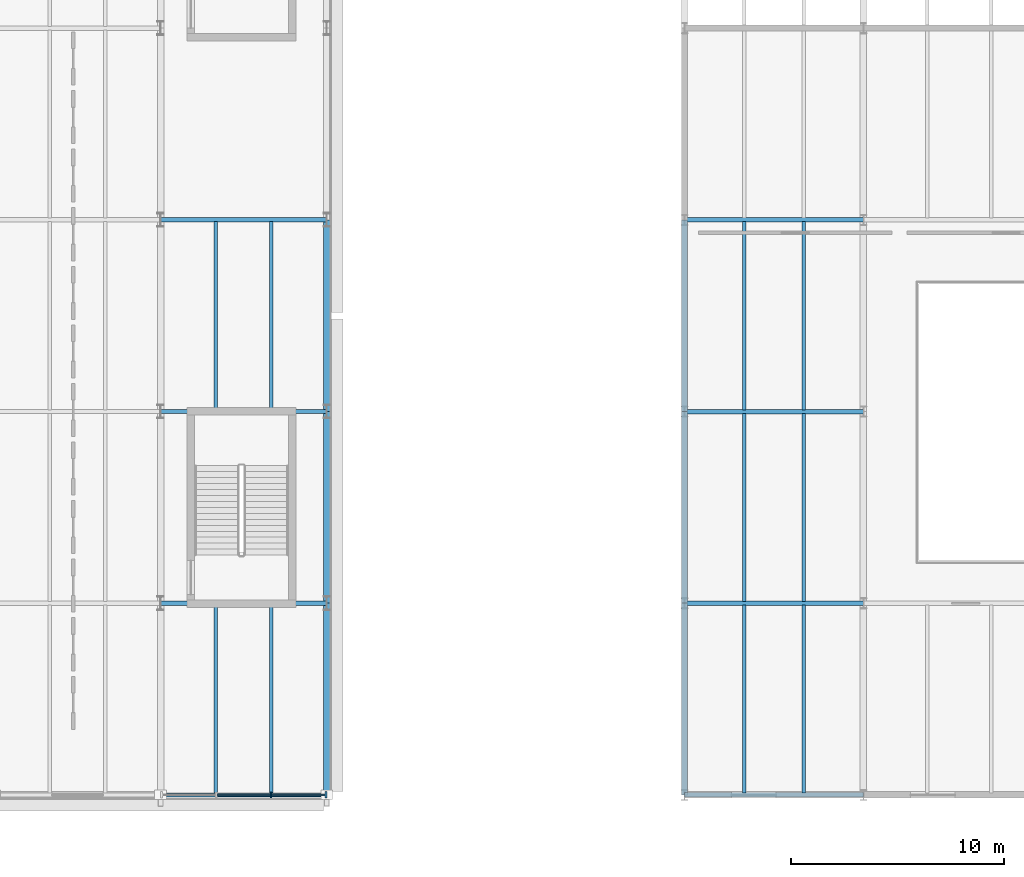
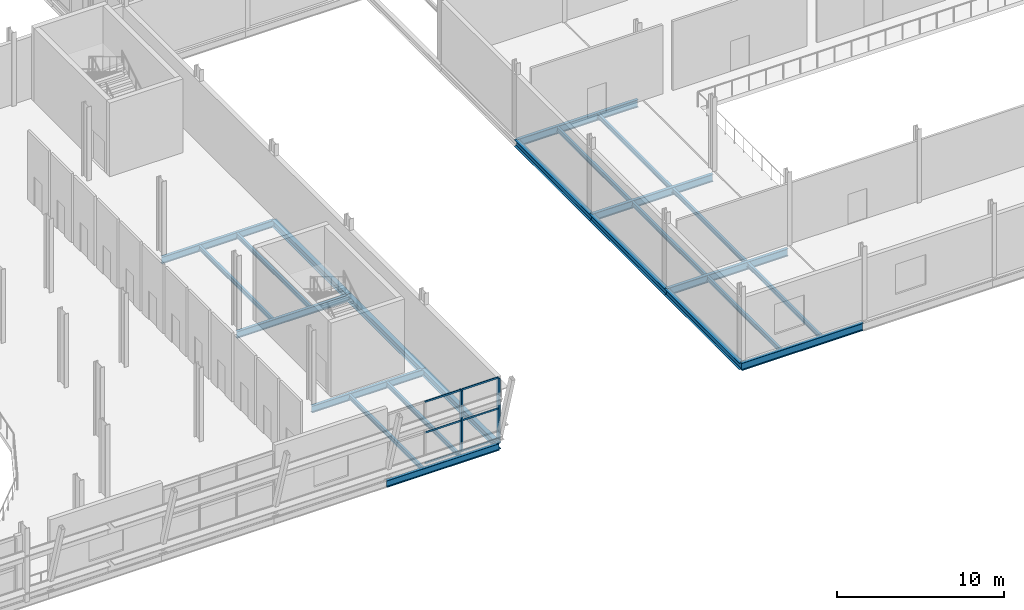
# One storey, part 21 of 78: 24 beams, 8 members, 1 element without a shape of its own.
"""IFC4 building model written with IfcOpenShell, lengths in metres."""

from ifc_helpers import new_model, si_unit, direction, frame, origin, origin_2d, place, context, subcontext, project, spatial, rectangle, i_section, extrude, material, layer, layer_set, material_profile, profile_set, type_object, element, aggregate, save


model = new_model("IFC4")

# Units and contexts
model_context = context("Model", 3, precision=1e-05, world=origin(), true_north=direction((0.0, 1.0)))
body_context = subcontext(model_context, "Body", "Model", "MODEL_VIEW")
ifc_project = project(units=[si_unit("LENGTHUNIT", "METRE"), si_unit("AREAUNIT", "SQUARE_METRE"), si_unit("VOLUMEUNIT", "CUBIC_METRE"), si_unit("PLANEANGLEUNIT", "RADIAN"), si_unit("MASSUNIT", "GRAM", prefix="KILO")], contexts=[model_context])

# Site, building, storey
site_placement = place(None, origin())
site = spatial("IfcSite", under=ifc_project, at=site_placement, CompositionType="ELEMENT")
building_placement = place(site_placement, origin())
building = spatial("IfcBuilding", under=site, at=building_placement, Name="Sefraquen Railside Congress Hotel", CompositionType="ELEMENT")
storey_placement = place(building_placement, frame((0.0, 0.0, 6.0)))
storey = spatial("IfcBuildingStorey", under=building, at=storey_placement, Name="L01", CompositionType="ELEMENT", Elevation=6.0)

# Beams
ifc_material_1 = material(Name="Steel S355JR", Category="steel")
ifc_material_profile_1 = material_profile(ifc_material_1, i_section(OverallWidth=0.199951171875, OverallDepth=0.5, WebThickness=0.01025390625, FlangeThickness=0.01611328125, FilletRadius=0.02099609375, at=origin_2d()), Name="IPE 500")
ifc_profile_set_1 = profile_set([ifc_material_profile_1], Name="Steel S355JR")
beam_type_1 = type_object("IfcBeamType", Name="TB-BM-500", PredefinedType="BEAM", material=ifc_profile_set_1)
for number, where, z_axis, x_axis, name in (
    (1, (95.39990234375, 9.0, -0.550048828125), (1.0, 0.0, 0.0), (0.0, 1.0, 0.0), "Primary girder BM-L01-0348"),
    (2, (95.39990234375, 18.0, -0.550048828125), (1.0, 0.0, 0.0), (0.0, 1.0, 0.0), "Primary girder BM-L01-0358"),
    (3, (95.39990234375, 27.0, -0.550048828125), (1.0, 0.0, 0.0), (0.0, 1.0, 0.0), "Primary girder BM-L01-0370"),
    (4, (95.39990234375, 36.0, -0.550048828125), (1.0, 0.0, 0.0), (0.0, 1.0, 0.0), "Primary girder BM-L01-0375"),
):
    element("IfcBeam", number, at=place(storey_placement, frame(where, z_axis=z_axis, x_axis=x_axis)), inside=storey, type_object=beam_type_1, Name=name, PredefinedType="BEAM", context=body_context, shape_type="SweptSolid", body=[
        extrude(i_section(OverallWidth=0.199951171875, OverallDepth=0.5, WebThickness=0.01025390625, FlangeThickness=0.01611328125, FilletRadius=0.02099609375, at=origin_2d()), origin(), (0.0, 0.0, 1.0), 7.800048828125),
    ])
ifc_material_profile_2 = material_profile(ifc_material_1, i_section(OverallWidth=0.300048828125, OverallDepth=0.489990234375, WebThickness=0.011962890625, FlangeThickness=0.02294921875, FilletRadius=0.027099609375, at=origin_2d()), Name="HEA 500")
ifc_profile_set_2 = profile_set([ifc_material_profile_2], Name="Steel S355JR")
beam_type_2 = type_object("IfcBeamType", Name="TB-GIR-500", PredefinedType="T_BEAM", material=ifc_profile_set_2)
for number, where, z_axis, x_axis, name in (
    (5, (103.199951171875, 9.0, -0.544921875), (0.0, 1.0, 0.0), (-1.0, 0.0, 0.0), "Floor beam BM-L01-0604"),
    (6, (103.199951171875, 18.0, -0.544921875), (0.0, 1.0, 0.0), (-1.0, 0.0, 0.0), "Floor beam BM-L01-0605"),
    (7, (103.199951171875, 27.0, -0.544921875), (0.0, 1.0, 0.0), (-1.0, 0.0, 0.0), "Floor beam BM-L01-0606"),
    (8, (120.0, 9.0, -0.544921875), (0.0, 1.0, 0.0), (-1.0, 0.0, 0.0), "Floor beam BM-L01-0625"),
    (9, (120.0, 18.0, -0.544921875), (0.0, 1.0, 0.0), (-1.0, 0.0, 0.0), "Floor beam BM-L01-0626"),
    (10, (120.0, 27.0, -0.544921875), (0.0, 1.0, 0.0), (-1.0, 0.0, 0.0), "Floor beam BM-L01-0627"),
):
    element("IfcBeam", number, at=place(storey_placement, frame(where, z_axis=z_axis, x_axis=x_axis)), inside=storey, type_object=beam_type_2, Name=name, PredefinedType="T_BEAM", context=body_context, shape_type="SweptSolid", body=[
        extrude(i_section(OverallWidth=0.300048828125, OverallDepth=0.489990234375, WebThickness=0.011962890625, FlangeThickness=0.02294921875, FilletRadius=0.027099609375, at=origin_2d()), origin(), (0.0, 0.0, 1.0), 9.0),
    ])
ifc_material_profile_3 = material_profile(ifc_material_1, i_section(OverallWidth=0.2099609375, OverallDepth=0.550048828125, WebThickness=0.010986328125, FlangeThickness=0.01708984375, FilletRadius=0.02392578125, at=origin_2d()), Name="IPE 550")
ifc_profile_set_3 = profile_set([ifc_material_profile_3], Name="Steel S355JR")
beam_type_3 = type_object("IfcBeamType", Name="TB-GIR-550", PredefinedType="T_BEAM", material=ifc_profile_set_3)
for number, where, z_axis, x_axis, name in (
    (11, (120.0, 9.0, -0.574951171875), (1.0, 0.0, 0.0), (0.0, 1.0, 0.0), "Primary girder BM-L01-0349"),
    (12, (120.0, 18.0, -0.574951171875), (1.0, 0.0, 0.0), (0.0, 1.0, 0.0), "Primary girder BM-L01-0359"),
    (13, (120.0, 27.0, -0.574951171875), (1.0, 0.0, 0.0), (0.0, 1.0, 0.0), "Primary girder BM-L01-0371"),
    (14, (120.0, 36.0, -0.574951171875), (1.0, 0.0, 0.0), (0.0, 1.0, 0.0), "Primary girder BM-L01-0376"),
):
    element("IfcBeam", number, at=place(storey_placement, frame(where, z_axis=z_axis, x_axis=x_axis)), inside=storey, type_object=beam_type_3, Name=name, PredefinedType="T_BEAM", context=body_context, shape_type="SweptSolid", body=[
        extrude(i_section(OverallWidth=0.2099609375, OverallDepth=0.550048828125, WebThickness=0.010986328125, FlangeThickness=0.01708984375, FilletRadius=0.02392578125, at=origin_2d()), origin(), (0.0, 0.0, 1.0), 8.39990234375),
    ])
ifc_material_profile_4 = material_profile(ifc_material_1, i_section(OverallWidth=0.159912109375, OverallDepth=0.330078125, WebThickness=0.007568359375, FlangeThickness=0.011474609375, FilletRadius=0.01806640625, at=origin_2d()), Name="IPE 330")
ifc_profile_set_4 = profile_set([ifc_material_profile_4], Name="Steel S355JR")
beam_type_4 = type_object("IfcBeamType", Name="TB-JST-330", PredefinedType="JOIST", material=ifc_profile_set_4)
for number, where, z_axis, x_axis, name in (
    (15, (98.0, 9.080078125, -0.465087890625), (0.0, 1.0, 0.0), (-1.0, 0.0, 0.0), "Composite floor joist BM-L01-J0342"),
    (16, (100.60009765625, 9.080078125, -0.465087890625), (0.0, 1.0, 0.0), (-1.0, 0.0, 0.0), "Composite floor joist BM-L01-J0343"),
    (17, (98.0, 27.080078125, -0.465087890625), (0.0, 1.0, 0.0), (-1.0, 0.0, 0.0), "Composite floor joist BM-L01-J0344"),
    (18, (100.60009765625, 27.080078125, -0.465087890625), (0.0, 1.0, 0.0), (-1.0, 0.0, 0.0), "Composite floor joist BM-L01-J0345"),
):
    element("IfcBeam", number, at=place(storey_placement, frame(where, z_axis=z_axis, x_axis=x_axis)), inside=storey, type_object=beam_type_4, Name=name, PredefinedType="JOIST", context=body_context, shape_type="SweptSolid", body=[
        extrude(i_section(OverallWidth=0.159912109375, OverallDepth=0.330078125, WebThickness=0.007568359375, FlangeThickness=0.011474609375, FilletRadius=0.01806640625, at=origin_2d()), origin(), (0.0, 0.0, 1.0), 8.83984375),
    ])
for number, where, z_axis, x_axis, name in (
    (19, (122.800048828125, 9.0849609375, -0.465087890625), (0.0, 1.0, 0.0), (-1.0, 0.0, 0.0), "Composite floor joist BM-L01-J0374"),
    (20, (125.60009765625, 9.0849609375, -0.465087890625), (0.0, 1.0, 0.0), (-1.0, 0.0, 0.0), "Composite floor joist BM-L01-J0375"),
    (21, (122.800048828125, 18.0849609375, -0.465087890625), (0.0, 1.0, 0.0), (-1.0, 0.0, 0.0), "Composite floor joist BM-L01-J0376"),
    (22, (125.60009765625, 18.0849609375, -0.465087890625), (0.0, 1.0, 0.0), (-1.0, 0.0, 0.0), "Composite floor joist BM-L01-J0377"),
    (23, (122.800048828125, 27.0849609375, -0.465087890625), (0.0, 1.0, 0.0), (-1.0, 0.0, 0.0), "Composite floor joist BM-L01-J0378"),
    (24, (125.60009765625, 27.0849609375, -0.465087890625), (0.0, 1.0, 0.0), (-1.0, 0.0, 0.0), "Composite floor joist BM-L01-J0379"),
):
    element("IfcBeam", number, at=place(storey_placement, frame(where, z_axis=z_axis, x_axis=x_axis)), inside=storey, type_object=beam_type_4, Name=name, PredefinedType="JOIST", context=body_context, shape_type="SweptSolid", body=[
        extrude(i_section(OverallWidth=0.159912109375, OverallDepth=0.330078125, WebThickness=0.007568359375, FlangeThickness=0.011474609375, FilletRadius=0.01806640625, at=origin_2d()), origin(), (0.0, 0.0, 1.0), 8.830078125),
    ])

# Curtain wall, members
ifc_material_2 = material(Name="Thermally broken anodised aluminium and low-E double glazing", Category="aluminium")
ifc_layer = layer(ifc_material_2, 0.199951171875)
ifc_layer_set = layer_set([ifc_layer], Name="Thermally broken anodised aluminium and low-E double glazing")
curtain_wall_type = type_object("IfcCurtainWallType", Name="TCW-UCW-09", PredefinedType="USERDEFINED", material=ifc_layer_set)
curtain_wall_placement = place(storey_placement, origin())
curtain_wall = element("IfcCurtainWall", 25, at=curtain_wall_placement, inside=storey, type_object=curtain_wall_type, Name="Congress leaning south curtain wall L01-10", ObjectType="UNITISED CURTAIN WALL", PredefinedType="USERDEFINED")
ifc_material_3 = material(Name="Thermally broken anodised aluminium 6063-T6", Category="aluminium")
ifc_material_profile_5 = material_profile(ifc_material_3, rectangle(XDim=0.0849609375, YDim=0.260009765625, at=origin_2d()), Name="CWM 85x260")
ifc_profile_set_5 = profile_set([ifc_material_profile_5], Name="Thermally broken anodised aluminium 6063-T6")
member_type_1 = type_object("IfcMemberType", Name="TM-CWM-06", PredefinedType="MULLION", material=ifc_profile_set_5)
member_1_placement = place(storey_placement, frame((100.586669921875, 9.0, 0.0), z_axis=(0.0, 0.0, 1.0), x_axis=(1.0, 0.0, 0.0)))
member_1 = element("IfcMember", 26, at=member_1_placement, type_object=member_type_1, Name="CW-L01-041 mullion 3", PredefinedType="MULLION", context=body_context, shape_type="SweptSolid", body=[
    extrude(rectangle(XDim=0.0849609375, YDim=0.260009765625, at=origin_2d()), origin(), (0.0, 0.0, 1.0), 4.5),
])
ifc_material_profile_6 = material_profile(ifc_material_3, rectangle(XDim=0.094970703125, YDim=0.300048828125, at=origin_2d()), Name="CWM 95x300")
ifc_profile_set_6 = profile_set([ifc_material_profile_6], Name="Thermally broken anodised aluminium 6063-T6")
member_type_2 = type_object("IfcMemberType", Name="TM-CWM-08", PredefinedType="MULLION", material=ifc_profile_set_6)
member_2_placement = place(storey_placement, frame((103.159912109375, 9.0, 0.0), z_axis=(0.0, 0.0, 1.0), x_axis=(1.0, 0.0, 0.0)))
member_2 = element("IfcMember", 27, at=member_2_placement, type_object=member_type_2, Name="CW-L01-041 mullion 4", PredefinedType="MULLION", context=body_context, shape_type="SweptSolid", body=[
    extrude(rectangle(XDim=0.094970703125, YDim=0.300048828125, at=origin_2d()), origin(), (0.0, 0.0, 1.0), 4.5),
])
ifc_material_profile_7 = material_profile(ifc_material_3, rectangle(XDim=0.06005859375, YDim=0.1201171875, at=origin_2d()), Name="CWT 60x120")
ifc_profile_set_7 = profile_set([ifc_material_profile_7], Name="Thermally broken anodised aluminium 6063-T6")
member_type_3 = type_object("IfcMemberType", Name="TM-CWT-01", PredefinedType="USERDEFINED", material=ifc_profile_set_7)
member_3_placement = place(storey_placement, frame((98.058349609375, 9.0, 0.0), z_axis=(1.0, 0.0, 0.0), x_axis=(0.0, 1.0, 0.0)))
member_3 = element("IfcMember", 28, at=member_3_placement, type_object=member_type_3, Name="CW-L01-041 transom 1.2", ObjectType="TRANSOM", PredefinedType="USERDEFINED", context=body_context, shape_type="SweptSolid", body=[
    extrude(rectangle(XDim=0.06005859375, YDim=0.1201171875, at=origin_2d()), origin(), (0.0, 0.0, 1.0), 2.4833984375),
])
member_4_placement = place(storey_placement, frame((100.631591796875, 9.0, 0.0), z_axis=(1.0, 0.0, 0.0), x_axis=(0.0, 1.0, 0.0)))
member_4 = element("IfcMember", 29, at=member_4_placement, type_object=member_type_3, Name="CW-L01-041 transom 1.3", ObjectType="TRANSOM", PredefinedType="USERDEFINED", context=body_context, shape_type="SweptSolid", body=[
    extrude(rectangle(XDim=0.06005859375, YDim=0.1201171875, at=origin_2d()), origin(), (0.0, 0.0, 1.0), 2.4833984375),
])
member_5_placement = place(storey_placement, frame((98.058349609375, 9.0, 2.25), z_axis=(1.0, 0.0, 0.0), x_axis=(0.0, 1.0, 0.0)))
member_5 = element("IfcMember", 30, at=member_5_placement, type_object=member_type_3, Name="CW-L01-041 transom 2.2", ObjectType="TRANSOM", PredefinedType="USERDEFINED", context=body_context, shape_type="SweptSolid", body=[
    extrude(rectangle(XDim=0.06005859375, YDim=0.1201171875, at=origin_2d()), origin(), (0.0, 0.0, 1.0), 2.4833984375),
])
member_6_placement = place(storey_placement, frame((100.631591796875, 9.0, 2.25), z_axis=(1.0, 0.0, 0.0), x_axis=(0.0, 1.0, 0.0)))
member_6 = element("IfcMember", 31, at=member_6_placement, type_object=member_type_3, Name="CW-L01-041 transom 2.3", ObjectType="TRANSOM", PredefinedType="USERDEFINED", context=body_context, shape_type="SweptSolid", body=[
    extrude(rectangle(XDim=0.06005859375, YDim=0.1201171875, at=origin_2d()), origin(), (0.0, 0.0, 1.0), 2.4833984375),
])
member_7_placement = place(storey_placement, frame((98.058349609375, 9.0, 4.5), z_axis=(1.0, 0.0, 0.0), x_axis=(0.0, 1.0, 0.0)))
member_7 = element("IfcMember", 32, at=member_7_placement, type_object=member_type_3, Name="CW-L01-041 transom 3.2", ObjectType="TRANSOM", PredefinedType="USERDEFINED", context=body_context, shape_type="SweptSolid", body=[
    extrude(rectangle(XDim=0.06005859375, YDim=0.1201171875, at=origin_2d()), origin(), (0.0, 0.0, 1.0), 2.4833984375),
])
member_8_placement = place(storey_placement, frame((100.631591796875, 9.0, 4.5), z_axis=(1.0, 0.0, 0.0), x_axis=(0.0, 1.0, 0.0)))
member_8 = element("IfcMember", 33, at=member_8_placement, type_object=member_type_3, Name="CW-L01-041 transom 3.3", ObjectType="TRANSOM", PredefinedType="USERDEFINED", context=body_context, shape_type="SweptSolid", body=[
    extrude(rectangle(XDim=0.06005859375, YDim=0.1201171875, at=origin_2d()), origin(), (0.0, 0.0, 1.0), 2.4833984375),
])
aggregate(curtain_wall, [member_1, member_2, member_3, member_4, member_5, member_6, member_7, member_8])

save(model, "model.ifc")
